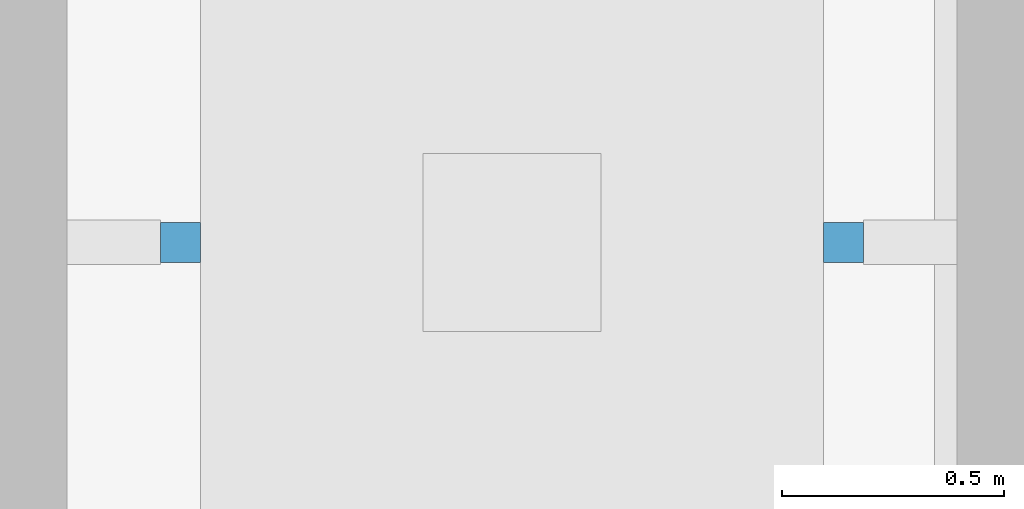
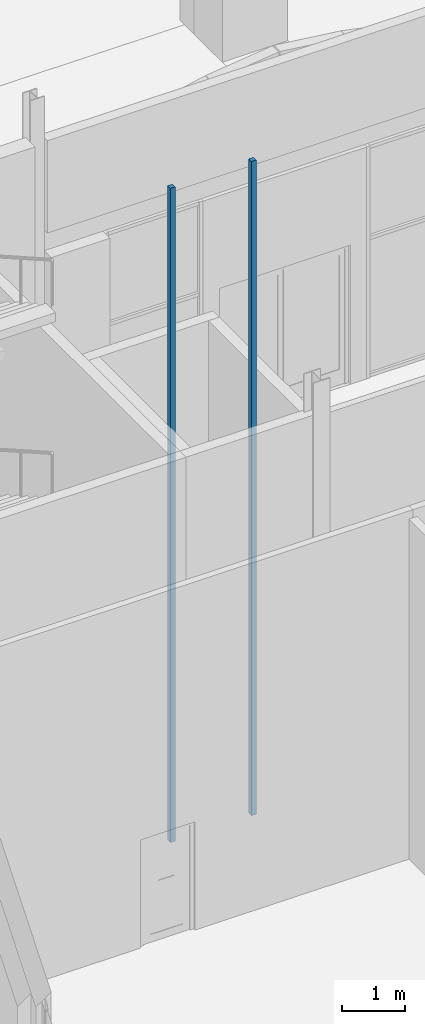
# One storey, part 152 of 250: 2 discrete accessories.
"""IFC4 building model written with IfcOpenShell, lengths in metres."""

from ifc_helpers import new_model, si_unit, direction, frame, origin, origin_2d, place, context, subcontext, project, spatial, rectangle, extrude, material, type_object, element, save


model = new_model("IFC4")

# Units and contexts
model_context = context("Model", 3, precision=1e-05, world=origin(), true_north=direction((0.0, 1.0)))
body_context = subcontext(model_context, "Body", "Model", "MODEL_VIEW")
ifc_project = project(units=[si_unit("LENGTHUNIT", "METRE"), si_unit("AREAUNIT", "SQUARE_METRE"), si_unit("VOLUMEUNIT", "CUBIC_METRE"), si_unit("PLANEANGLEUNIT", "RADIAN"), si_unit("MASSUNIT", "GRAM", prefix="KILO")], contexts=[model_context])

# Site, building, storey
site_placement = place(None, origin())
site = spatial("IfcSite", under=ifc_project, at=site_placement, CompositionType="ELEMENT")
building_placement = place(site_placement, origin())
building = spatial("IfcBuilding", under=site, at=building_placement, Name="Baradari Gate Terminus", CompositionType="ELEMENT")
storey_placement = place(building_placement, origin())
storey = spatial("IfcBuildingStorey", under=building, at=storey_placement, Name="L00", CompositionType="ELEMENT", Elevation=0.0)

# Discrete accessories
ifc_material = material(Name="Steel S355", Category="steel")
discrete_accessory_type = type_object("IfcDiscreteAccessoryType", Name="Lift guide rail GR-L1 90x90", PredefinedType="BRACKET", material=ifc_material)
for number, where, z_axis, x_axis, name in (
    (1, (70.054931640625, 100.25, -1.60009765625), (0.0, 0.0, 1.0), (1.0, 0.0, 0.0), "Lift guide rail LH1 1"),
    (2, (71.544921875, 100.25, -1.60009765625), (0.0, 0.0, 1.0), (1.0, 0.0, 0.0), "Lift guide rail LH1 2"),
):
    element("IfcDiscreteAccessory", number, at=place(storey_placement, frame(where, z_axis=z_axis, x_axis=x_axis)), inside=storey, type_object=discrete_accessory_type, Name=name, PredefinedType="BRACKET", context=body_context, shape_type="SweptSolid", body=[
        extrude(rectangle(XDim=0.090087890625, YDim=0.090087890625, at=origin_2d()), origin(), (0.0, 0.0, 1.0), 12.699951171875),
    ])

save(model, "model.ifc")
